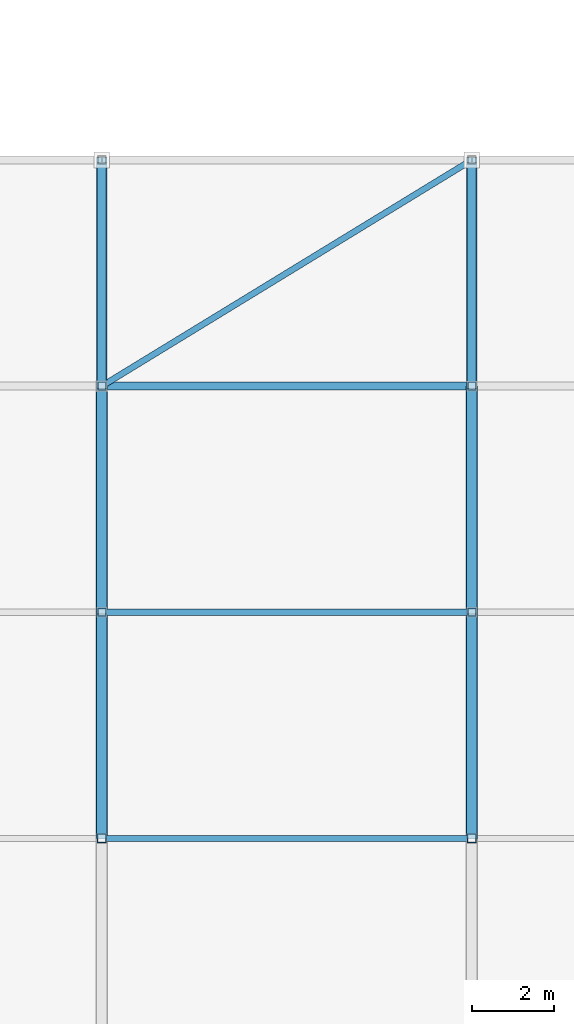
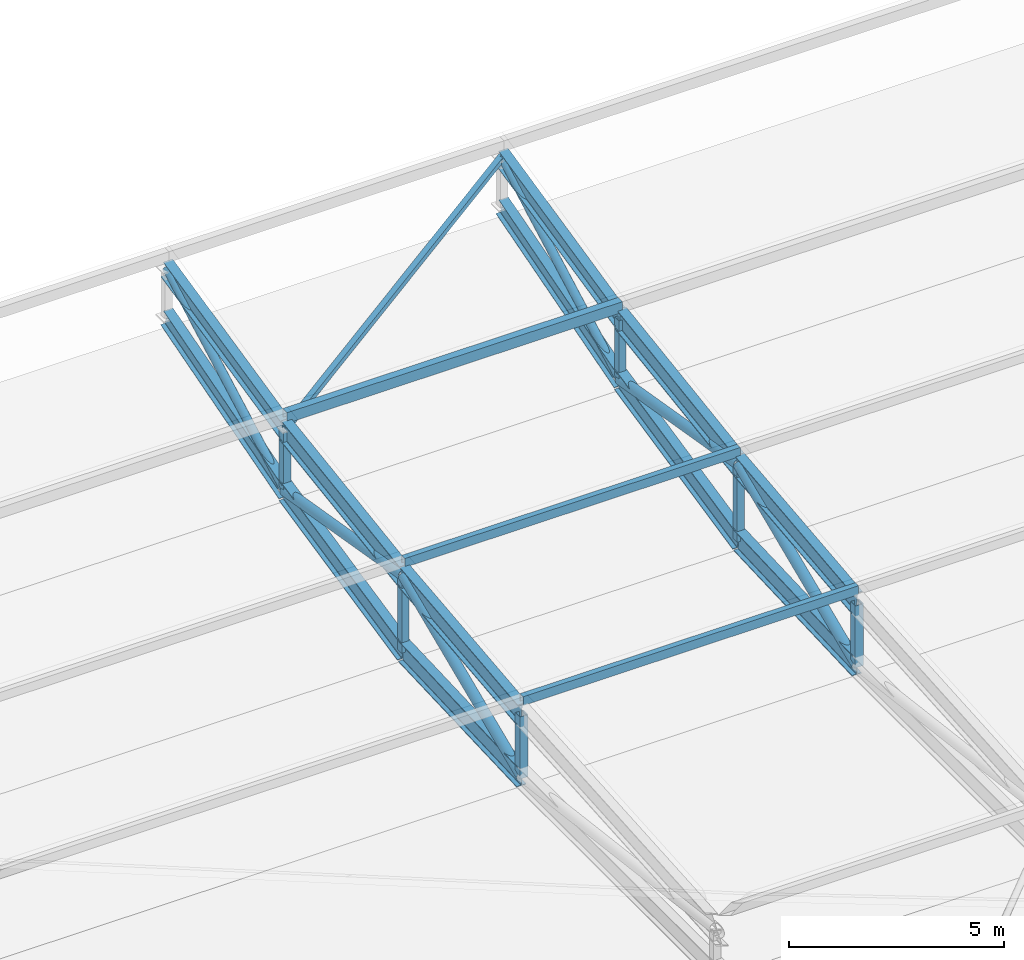
# One storey, part 20 of 114: 16 members, 12 beams.
"""IFC4 building model written with IfcOpenShell, lengths in metres."""

from ifc_helpers import new_model, si_unit, direction, frame, origin, origin_2d, place, context, subcontext, project, spatial, hollow_rectangle, hollow_circle, i_section, extrude, material, material_profile, profile_set, type_object, element, save


model = new_model("IFC4")

# Units and contexts
model_context = context("Model", 3, precision=1e-05, world=origin(), true_north=direction((0.0, 1.0)))
body_context = subcontext(model_context, "Body", "Model", "MODEL_VIEW")
ifc_project = project(units=[si_unit("LENGTHUNIT", "METRE"), si_unit("AREAUNIT", "SQUARE_METRE"), si_unit("VOLUMEUNIT", "CUBIC_METRE"), si_unit("PLANEANGLEUNIT", "RADIAN"), si_unit("MASSUNIT", "GRAM", prefix="KILO"), si_unit("THERMODYNAMICTEMPERATUREUNIT", "KELVIN"), si_unit("POWERUNIT", "WATT")], contexts=[model_context])

# Site, building, storey
site_placement = place(None, origin())
site = spatial("IfcSite", under=ifc_project, at=site_placement, CompositionType="ELEMENT")
building_placement = place(site_placement, origin())
building = spatial("IfcBuilding", under=site, at=building_placement, Name="Sindhuravela Promenade Stadium", CompositionType="ELEMENT")
storey_placement = place(building_placement, frame((0.0, 0.0, 24.0)))
storey = spatial("IfcBuildingStorey", under=building, at=storey_placement, Name="L05", CompositionType="ELEMENT", Elevation=24.0)

# Beams
ifc_material = material(Name="Steel E350 (IS 2062 E350BR)", Category="steel")
ifc_material_profile_1 = material_profile(ifc_material, i_section(OverallWidth=0.25, OverallDepth=0.5, WebThickness=0.010009765625, FlangeThickness=0.0146484375, FilletRadius=0.014892578125, at=origin_2d()), Name="ISWB 500")
ifc_profile_set_1 = profile_set([ifc_material_profile_1], Name="Steel E350 (IS 2062 E350BR)")
beam_type_1 = type_object("IfcBeamType", Name="ST-BM-WB500", PredefinedType="USERDEFINED", material=ifc_profile_set_1)
beam_1_placement = place(storey_placement, frame((99.0, 38.0, 3.169189453125), z_axis=(0.0, 0.9758669805330386, 0.2183658313595103), x_axis=(-1.0, 0.0, 0.0)))
element("IfcBeam", 1, at=beam_1_placement, inside=storey, type_object=beam_type_1, Name="Roof truss RT-S04 top chord 5", ObjectType="ROOF TRUSS", PredefinedType="USERDEFINED", context=body_context, shape_type="SweptSolid", body=[
    extrude(i_section(OverallWidth=0.25, OverallDepth=0.5, WebThickness=0.010009765625, FlangeThickness=0.0146484375, FilletRadius=0.014892578125, at=origin_2d()), origin(), (0.0, 0.0, 1.0), 5.635986328125),
])
beam_2_placement = place(storey_placement, frame((99.0, 38.0, 1.419189453125), z_axis=(0.0, 0.9599274278129861, 0.28024869907342015), x_axis=(-1.0, 0.0, 0.0)))
element("IfcBeam", 2, at=beam_2_placement, inside=storey, type_object=beam_type_1, Name="Roof truss RT-S04 bottom chord 5", ObjectType="ROOF TRUSS", PredefinedType="USERDEFINED", context=body_context, shape_type="SweptSolid", body=[
    extrude(i_section(OverallWidth=0.25, OverallDepth=0.5, WebThickness=0.010009765625, FlangeThickness=0.0146484375, FilletRadius=0.014892578125, at=origin_2d()), origin(), (0.0, 0.0, 1.0), 5.7294921875),
])
beam_3_placement = place(storey_placement, frame((108.0, 38.0, 3.169189453125), z_axis=(0.0, 0.9758669805330386, 0.2183658313595103), x_axis=(-1.0, 0.0, 0.0)))
element("IfcBeam", 3, at=beam_3_placement, inside=storey, type_object=beam_type_1, Name="Roof truss RT-S05 top chord 5", ObjectType="ROOF TRUSS", PredefinedType="USERDEFINED", context=body_context, shape_type="SweptSolid", body=[
    extrude(i_section(OverallWidth=0.25, OverallDepth=0.5, WebThickness=0.010009765625, FlangeThickness=0.0146484375, FilletRadius=0.014892578125, at=origin_2d()), origin(), (0.0, 0.0, 1.0), 5.635986328125),
])
beam_4_placement = place(storey_placement, frame((108.0, 38.0, 1.419189453125), z_axis=(0.0, 0.9599274278129861, 0.28024869907342015), x_axis=(-1.0, 0.0, 0.0)))
element("IfcBeam", 4, at=beam_4_placement, inside=storey, type_object=beam_type_1, Name="Roof truss RT-S05 bottom chord 5", ObjectType="ROOF TRUSS", PredefinedType="USERDEFINED", context=body_context, shape_type="SweptSolid", body=[
    extrude(i_section(OverallWidth=0.25, OverallDepth=0.5, WebThickness=0.010009765625, FlangeThickness=0.0146484375, FilletRadius=0.014892578125, at=origin_2d()), origin(), (0.0, 0.0, 1.0), 5.7294921875),
])
ifc_material_profile_2 = material_profile(ifc_material, i_section(OverallWidth=0.25, OverallDepth=0.60009765625, WebThickness=0.01171875, FlangeThickness=0.023681640625, FilletRadius=0.01708984375, at=origin_2d()), Name="ISWB 600")
ifc_profile_set_2 = profile_set([ifc_material_profile_2], Name="Steel E350 (IS 2062 E350BR)")
beam_type_2 = type_object("IfcBeamType", Name="ST-BM-WB600", PredefinedType="USERDEFINED", material=ifc_profile_set_2)
beam_5_placement = place(storey_placement, frame((99.0, 27.0, 1.76318359375), z_axis=(0.0, 0.9943078180575428, 0.1065455909441987), x_axis=(-1.0, 0.0, 0.0)))
element("IfcBeam", 5, at=beam_5_placement, inside=storey, type_object=beam_type_2, Name="Roof truss RT-S04 top chord 3", ObjectType="ROOF TRUSS", PredefinedType="USERDEFINED", context=body_context, shape_type="SweptSolid", body=[
    extrude(i_section(OverallWidth=0.25, OverallDepth=0.60009765625, WebThickness=0.01171875, FlangeThickness=0.023681640625, FilletRadius=0.01708984375, at=origin_2d()), origin(), (0.0, 0.0, 1.0), 5.531494140625),
])
beam_6_placement = place(storey_placement, frame((99.0, 27.0, 0.0), z_axis=(0.0, 0.9991453279387894, 0.04133538022189949), x_axis=(-1.0, 0.0, 0.0)))
element("IfcBeam", 6, at=beam_6_placement, inside=storey, type_object=beam_type_2, Name="Roof truss RT-S04 bottom chord 3", ObjectType="ROOF TRUSS", PredefinedType="USERDEFINED", context=body_context, shape_type="SweptSolid", body=[
    extrude(i_section(OverallWidth=0.25, OverallDepth=0.60009765625, WebThickness=0.01171875, FlangeThickness=0.023681640625, FilletRadius=0.01708984375, at=origin_2d()), origin(), (0.0, 0.0, 1.0), 5.504638671875),
])
beam_7_placement = place(storey_placement, frame((99.0, 32.5, 2.3525390625), z_axis=(0.0, 0.9891555530237203, 0.14687168523012892), x_axis=(-1.0, 0.0, 0.0)))
element("IfcBeam", 7, at=beam_7_placement, inside=storey, type_object=beam_type_2, Name="Roof truss RT-S04 top chord 4", ObjectType="ROOF TRUSS", PredefinedType="USERDEFINED", context=body_context, shape_type="SweptSolid", body=[
    extrude(i_section(OverallWidth=0.25, OverallDepth=0.60009765625, WebThickness=0.01171875, FlangeThickness=0.023681640625, FilletRadius=0.01708984375, at=origin_2d()), origin(), (0.0, 0.0, 1.0), 5.560302734375),
])
beam_8_placement = place(storey_placement, frame((99.0, 32.5, 0.2275390625), z_axis=(0.0, 0.9773237385626684, 0.21175058451368894), x_axis=(-1.0, 0.0, 0.0)))
element("IfcBeam", 8, at=beam_8_placement, inside=storey, type_object=beam_type_2, Name="Roof truss RT-S04 bottom chord 4", ObjectType="ROOF TRUSS", PredefinedType="USERDEFINED", context=body_context, shape_type="SweptSolid", body=[
    extrude(i_section(OverallWidth=0.25, OverallDepth=0.60009765625, WebThickness=0.01171875, FlangeThickness=0.023681640625, FilletRadius=0.01708984375, at=origin_2d()), origin(), (0.0, 0.0, 1.0), 5.627685546875),
])
beam_9_placement = place(storey_placement, frame((108.0, 27.0, 1.76318359375), z_axis=(0.0, 0.9943078180575428, 0.1065455909441987), x_axis=(-1.0, 0.0, 0.0)))
element("IfcBeam", 9, at=beam_9_placement, inside=storey, type_object=beam_type_2, Name="Roof truss RT-S05 top chord 3", ObjectType="ROOF TRUSS", PredefinedType="USERDEFINED", context=body_context, shape_type="SweptSolid", body=[
    extrude(i_section(OverallWidth=0.25, OverallDepth=0.60009765625, WebThickness=0.01171875, FlangeThickness=0.023681640625, FilletRadius=0.01708984375, at=origin_2d()), origin(), (0.0, 0.0, 1.0), 5.531494140625),
])
beam_10_placement = place(storey_placement, frame((108.0, 27.0, 0.0), z_axis=(0.0, 0.9991453279387894, 0.04133538022189949), x_axis=(-1.0, 0.0, 0.0)))
element("IfcBeam", 10, at=beam_10_placement, inside=storey, type_object=beam_type_2, Name="Roof truss RT-S05 bottom chord 3", ObjectType="ROOF TRUSS", PredefinedType="USERDEFINED", context=body_context, shape_type="SweptSolid", body=[
    extrude(i_section(OverallWidth=0.25, OverallDepth=0.60009765625, WebThickness=0.01171875, FlangeThickness=0.023681640625, FilletRadius=0.01708984375, at=origin_2d()), origin(), (0.0, 0.0, 1.0), 5.504638671875),
])
beam_11_placement = place(storey_placement, frame((108.0, 32.5, 2.3525390625), z_axis=(0.0, 0.9891555530237203, 0.14687168523012892), x_axis=(-1.0, 0.0, 0.0)))
element("IfcBeam", 11, at=beam_11_placement, inside=storey, type_object=beam_type_2, Name="Roof truss RT-S05 top chord 4", ObjectType="ROOF TRUSS", PredefinedType="USERDEFINED", context=body_context, shape_type="SweptSolid", body=[
    extrude(i_section(OverallWidth=0.25, OverallDepth=0.60009765625, WebThickness=0.01171875, FlangeThickness=0.023681640625, FilletRadius=0.01708984375, at=origin_2d()), origin(), (0.0, 0.0, 1.0), 5.560302734375),
])
beam_12_placement = place(storey_placement, frame((108.0, 32.5, 0.2275390625), z_axis=(0.0, 0.9773237385626684, 0.21175058451368894), x_axis=(-1.0, 0.0, 0.0)))
element("IfcBeam", 12, at=beam_12_placement, inside=storey, type_object=beam_type_2, Name="Roof truss RT-S05 bottom chord 4", ObjectType="ROOF TRUSS", PredefinedType="USERDEFINED", context=body_context, shape_type="SweptSolid", body=[
    extrude(i_section(OverallWidth=0.25, OverallDepth=0.60009765625, WebThickness=0.01171875, FlangeThickness=0.023681640625, FilletRadius=0.01708984375, at=origin_2d()), origin(), (0.0, 0.0, 1.0), 5.627685546875),
])

# Members
ifc_material_profile_3 = material_profile(ifc_material, hollow_circle(Radius=0.109619140625, WallThickness=0.010009765625, at=origin_2d()), Name="CHS 219.1x10")
ifc_profile_set_3 = profile_set([ifc_material_profile_3], Name="Steel E350 (IS 2062 E350BR)")
member_type_1 = type_object("IfcMemberType", Name="ST-MB-CHS219", PredefinedType="BRACE", material=ifc_profile_set_3)
for number, where, z_axis, x_axis, name in (
    (13, (99.0, 38.0, 1.419189453125), (0.0, 0.8791884339384995, 0.47647423605979855), (-1.0, 0.0, 0.0), "Roof truss RT-S04 diagonal web 5"),
    (14, (108.0, 38.0, 1.419189453125), (0.0, 0.8791884339384995, 0.47647423605979855), (-1.0, 0.0, 0.0), "Roof truss RT-S05 diagonal web 5"),
):
    element("IfcMember", number, at=place(storey_placement, frame(where, z_axis=z_axis, x_axis=x_axis)), inside=storey, type_object=member_type_1, Name=name, PredefinedType="BRACE", context=body_context, shape_type="SweptSolid", body=[
        extrude(hollow_circle(Radius=0.109619140625, WallThickness=0.010009765625, at=origin_2d()), origin(), (0.0, 0.0, 1.0), 6.255859375),
    ])
ifc_material_profile_4 = material_profile(ifc_material, hollow_circle(Radius=0.136474609375, WallThickness=0.010009765625, at=origin_2d()), Name="CHS 273.0x10")
ifc_profile_set_4 = profile_set([ifc_material_profile_4], Name="Steel E350 (IS 2062 E350BR)")
member_type_2 = type_object("IfcMemberType", Name="ST-MB-CHS273", PredefinedType="BRACE", material=ifc_profile_set_4)
member_1_placement = place(storey_placement, frame((99.0, 27.0, 0.0), z_axis=(0.0, 0.9194234507496676, 0.3932690150667524), x_axis=(-1.0, 0.0, 0.0)))
element("IfcMember", 15, at=member_1_placement, inside=storey, type_object=member_type_2, Name="Roof truss RT-S04 diagonal web 3", PredefinedType="BRACE", context=body_context, shape_type="SweptSolid", body=[
    extrude(hollow_circle(Radius=0.136474609375, WallThickness=0.010009765625, at=origin_2d()), origin(), (0.0, 0.0, 1.0), 5.98193359375),
])
member_2_placement = place(storey_placement, frame((99.0, 32.5, 2.3525390625), z_axis=(0.0, 0.9859046851385784, -0.1673079550463772), x_axis=(-1.0, 0.0, 0.0)))
element("IfcMember", 16, at=member_2_placement, inside=storey, type_object=member_type_2, Name="Roof truss RT-S04 diagonal web 4", PredefinedType="BRACE", context=body_context, shape_type="SweptSolid", body=[
    extrude(hollow_circle(Radius=0.136474609375, WallThickness=0.010009765625, at=origin_2d()), origin(), (0.0, 0.0, 1.0), 5.57861328125),
])
member_3_placement = place(storey_placement, frame((108.0, 27.0, 0.0), z_axis=(0.0, 0.9194234507496676, 0.3932690150667524), x_axis=(-1.0, 0.0, 0.0)))
element("IfcMember", 17, at=member_3_placement, inside=storey, type_object=member_type_2, Name="Roof truss RT-S05 diagonal web 3", PredefinedType="BRACE", context=body_context, shape_type="SweptSolid", body=[
    extrude(hollow_circle(Radius=0.136474609375, WallThickness=0.010009765625, at=origin_2d()), origin(), (0.0, 0.0, 1.0), 5.98193359375),
])
member_4_placement = place(storey_placement, frame((108.0, 32.5, 2.3525390625), z_axis=(0.0, 0.9859046851385784, -0.1673079550463772), x_axis=(-1.0, 0.0, 0.0)))
element("IfcMember", 18, at=member_4_placement, inside=storey, type_object=member_type_2, Name="Roof truss RT-S05 diagonal web 4", PredefinedType="BRACE", context=body_context, shape_type="SweptSolid", body=[
    extrude(hollow_circle(Radius=0.136474609375, WallThickness=0.010009765625, at=origin_2d()), origin(), (0.0, 0.0, 1.0), 5.57861328125),
])
ifc_material_profile_5 = material_profile(ifc_material, hollow_rectangle(XDim=0.14990234375, YDim=0.25, WallThickness=0.010009765625, at=origin_2d()), Name="RHS 250x150x10")
ifc_profile_set_5 = profile_set([ifc_material_profile_5], Name="Steel E350 (IS 2062 E350BR)")
member_type_3 = type_object("IfcMemberType", Name="ST-MB-RHS250", PredefinedType="PURLIN", material=ifc_profile_set_5)
for number, where, z_axis, x_axis, name in (
    (19, (99.0, 27.0, 2.1552734375), (1.0, 0.0, 0.0), (0.0, 1.0, 0.0), "Roof purlin PR01 S bay 4.3"),
    (20, (99.0, 32.5, 2.744384765625), (1.0, 0.0, 0.0), (0.0, 1.0, 0.0), "Roof purlin PR01 S bay 4.4"),
):
    element("IfcMember", number, at=place(storey_placement, frame(where, z_axis=z_axis, x_axis=x_axis)), inside=storey, type_object=member_type_3, Name=name, PredefinedType="PURLIN", context=body_context, shape_type="SweptSolid", body=[
        extrude(hollow_rectangle(XDim=0.14990234375, YDim=0.25, WallThickness=0.010009765625, at=origin_2d()), origin(), (0.0, 0.0, 1.0), 9.0),
    ])
ifc_material_profile_6 = material_profile(ifc_material, hollow_rectangle(XDim=0.199951171875, YDim=0.300048828125, WallThickness=0.010009765625, at=origin_2d()), Name="RHS 300x200x10")
ifc_profile_set_6 = profile_set([ifc_material_profile_6], Name="Steel E350 (IS 2062 E350BR)")
member_type_4 = type_object("IfcMemberType", Name="ST-MB-RHS300", PredefinedType="PURLIN", material=ifc_profile_set_6)
member_5_placement = place(storey_placement, frame((99.0, 38.0, 3.5361328125), z_axis=(1.0, 0.0, 0.0), x_axis=(0.0, 1.0, 0.0)))
element("IfcMember", 21, at=member_5_placement, inside=storey, type_object=member_type_4, Name="Roof purlin PR02 S bay 4.5", PredefinedType="PURLIN", context=body_context, shape_type="SweptSolid", body=[
    extrude(hollow_rectangle(XDim=0.199951171875, YDim=0.300048828125, WallThickness=0.010009765625, at=origin_2d()), origin(), (0.0, 0.0, 1.0), 9.0),
])
ifc_material_profile_7 = material_profile(ifc_material, hollow_rectangle(XDim=0.14990234375, YDim=0.14990234375, WallThickness=0.008056640625, at=origin_2d()), Name="SHS 150x150x8")
ifc_profile_set_7 = profile_set([ifc_material_profile_7], Name="Steel E350 (IS 2062 E350BR)")
member_type_5 = type_object("IfcMemberType", Name="ST-MB-SHS150", PredefinedType="BRACE", material=ifc_profile_set_7)
member_6_placement = place(storey_placement, frame((99.0, 38.0, 3.169189453125), z_axis=(0.847531821378452, 0.5179361130646095, 0.11589648197614952), x_axis=(-0.5214500094539749, 0.853281833651959, 0.0)))
element("IfcMember", 22, at=member_6_placement, inside=storey, type_object=member_type_5, Name="Roof wind brace MB01 S bay 4", PredefinedType="BRACE", context=body_context, shape_type="SweptSolid", body=[
    extrude(hollow_rectangle(XDim=0.14990234375, YDim=0.14990234375, WallThickness=0.008056640625, at=origin_2d()), origin(), (0.0, 0.0, 1.0), 10.619140625),
])
ifc_material_profile_8 = material_profile(ifc_material, hollow_rectangle(XDim=0.199951171875, YDim=0.199951171875, WallThickness=0.010009765625, at=origin_2d()), Name="SHS 200x200x10")
ifc_profile_set_8 = profile_set([ifc_material_profile_8], Name="Steel E350 (IS 2062 E350BR)")
member_type_6 = type_object("IfcMemberType", Name="ST-MB-SHS200", PredefinedType="POST", material=ifc_profile_set_8)
member_7_placement = place(storey_placement, frame((99.0, 32.5, 0.2275390625), z_axis=(0.0, 0.0, 1.0), x_axis=(1.0, 0.0, 0.0)))
element("IfcMember", 23, at=member_7_placement, inside=storey, type_object=member_type_6, Name="Roof truss RT-S04 vertical post 4", PredefinedType="POST", context=body_context, shape_type="SweptSolid", body=[
    extrude(hollow_rectangle(XDim=0.199951171875, YDim=0.199951171875, WallThickness=0.010009765625, at=origin_2d()), origin(), (0.0, 0.0, 1.0), 2.125),
])
member_8_placement = place(storey_placement, frame((99.0, 38.0, 1.419189453125), z_axis=(0.0, 0.0, 1.0), x_axis=(1.0, 0.0, 0.0)))
element("IfcMember", 24, at=member_8_placement, inside=storey, type_object=member_type_6, Name="Roof truss RT-S04 vertical post 5", PredefinedType="POST", context=body_context, shape_type="SweptSolid", body=[
    extrude(hollow_rectangle(XDim=0.199951171875, YDim=0.199951171875, WallThickness=0.010009765625, at=origin_2d()), origin(), (0.0, 0.0, 1.0), 1.75),
])
member_9_placement = place(storey_placement, frame((108.0, 32.5, 0.2275390625), z_axis=(0.0, 0.0, 1.0), x_axis=(1.0, 0.0, 0.0)))
element("IfcMember", 25, at=member_9_placement, inside=storey, type_object=member_type_6, Name="Roof truss RT-S05 vertical post 4", PredefinedType="POST", context=body_context, shape_type="SweptSolid", body=[
    extrude(hollow_rectangle(XDim=0.199951171875, YDim=0.199951171875, WallThickness=0.010009765625, at=origin_2d()), origin(), (0.0, 0.0, 1.0), 2.125),
])
member_10_placement = place(storey_placement, frame((108.0, 38.0, 1.419189453125), z_axis=(0.0, 0.0, 1.0), x_axis=(1.0, 0.0, 0.0)))
element("IfcMember", 26, at=member_10_placement, inside=storey, type_object=member_type_6, Name="Roof truss RT-S05 vertical post 5", PredefinedType="POST", context=body_context, shape_type="SweptSolid", body=[
    extrude(hollow_rectangle(XDim=0.199951171875, YDim=0.199951171875, WallThickness=0.010009765625, at=origin_2d()), origin(), (0.0, 0.0, 1.0), 1.75),
])
ifc_material_profile_9 = material_profile(ifc_material, hollow_rectangle(XDim=0.219970703125, YDim=0.219970703125, WallThickness=0.011962890625, at=origin_2d()), Name="SHS 220x220x12")
ifc_profile_set_9 = profile_set([ifc_material_profile_9], Name="Steel E350 (IS 2062 E350BR)")
member_type_7 = type_object("IfcMemberType", Name="ST-MB-SHS220", PredefinedType="POST", material=ifc_profile_set_9)
for number, where, z_axis, x_axis, name in (
    (27, (99.0, 27.0, 0.0), (0.0, 0.0, 1.0), (1.0, 0.0, 0.0), "Roof truss RT-S04 vertical post 3"),
    (28, (108.0, 27.0, 0.0), (0.0, 0.0, 1.0), (1.0, 0.0, 0.0), "Roof truss RT-S05 vertical post 3"),
):
    element("IfcMember", number, at=place(storey_placement, frame(where, z_axis=z_axis, x_axis=x_axis)), inside=storey, type_object=member_type_7, Name=name, PredefinedType="POST", context=body_context, shape_type="SweptSolid", body=[
        extrude(hollow_rectangle(XDim=0.219970703125, YDim=0.219970703125, WallThickness=0.011962890625, at=origin_2d()), origin(), (0.0, 0.0, 1.0), 1.76318359375),
    ])

save(model, "model.ifc")
